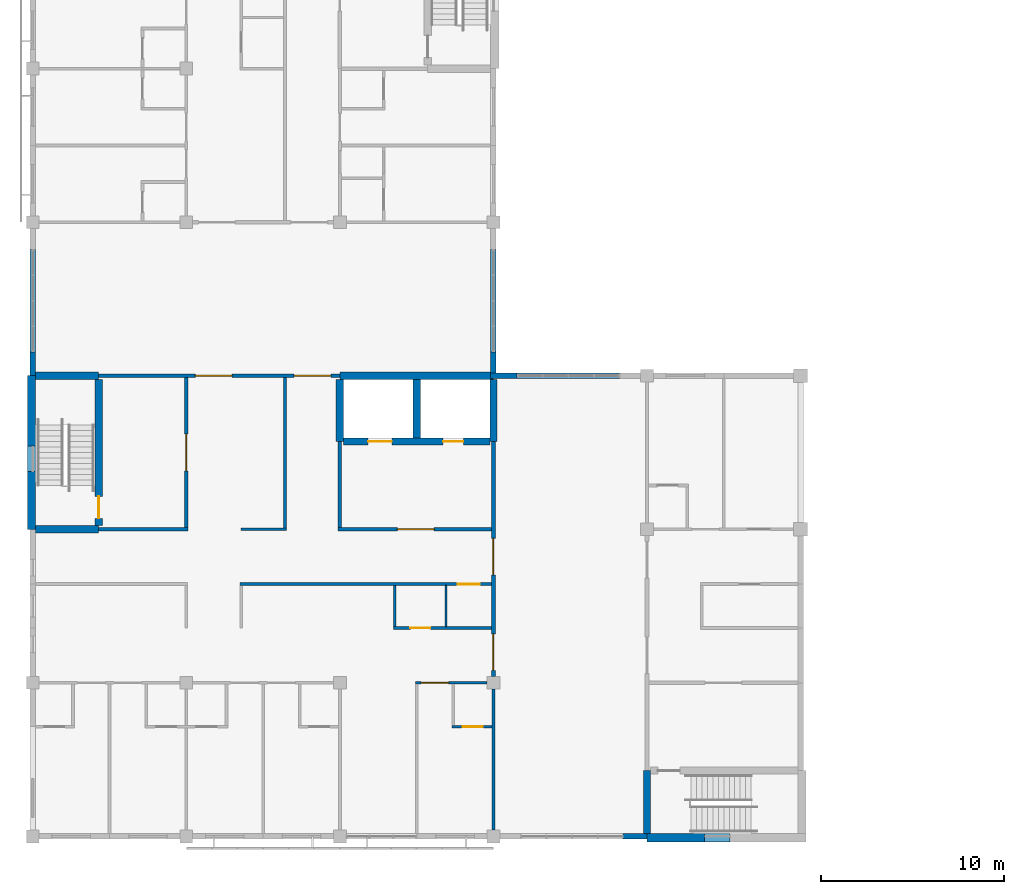
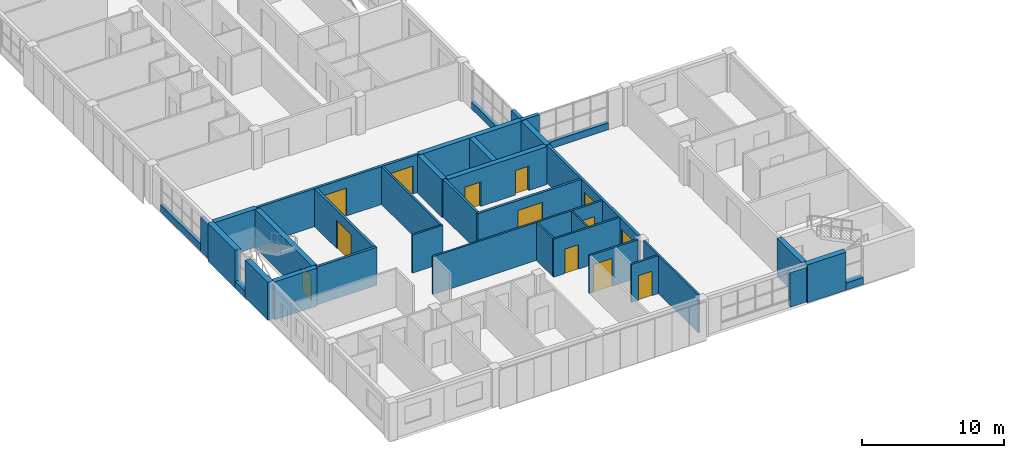
# One storey, part 25 of 46: 36 walls, 13 doors, 13 openings.
"""IFC4 building model written with IfcOpenShell, lengths in metres."""

from ifc_helpers import new_model, si_unit, direction, frame, frame_2d, origin, place, context, subcontext, project, spatial, rectangle, extrude, material, layer, layer_set, type_object, element, fill, save


model = new_model("IFC4")

# Units and contexts
model_context = context("Model", 3, precision=1e-05, world=origin(), true_north=direction((0.0, 1.0)))
body_context = subcontext(model_context, "Body", "Model", "MODEL_VIEW")
ifc_project = project(units=[si_unit("LENGTHUNIT", "METRE"), si_unit("AREAUNIT", "SQUARE_METRE"), si_unit("VOLUMEUNIT", "CUBIC_METRE"), si_unit("PLANEANGLEUNIT", "RADIAN"), si_unit("MASSUNIT", "GRAM", prefix="KILO")], contexts=[model_context])

# Site, building, storey
site_placement = place(None, origin())
site = spatial("IfcSite", under=ifc_project, at=site_placement, CompositionType="ELEMENT")
building_placement = place(site_placement, origin())
building = spatial("IfcBuilding", under=site, at=building_placement, Name="Yavir Park General Hospital", CompositionType="ELEMENT")
storey_placement = place(building_placement, frame((0.0, 0.0, 18.89990234375)))
storey = spatial("IfcBuildingStorey", under=building, at=storey_placement, Name="L04", CompositionType="ELEMENT", Elevation=18.89990234375)

# Wall
ifc_material_1 = material(Name="Double gypsum board fire partition on steel studs", Category="steel")
ifc_layer_1 = layer(ifc_material_1, 0.199951171875)
ifc_layer_set_1 = layer_set([ifc_layer_1], Name="Double gypsum board fire partition on steel studs")
wall_type_1 = type_object("IfcWallType", Name="Fire-rated partition 200, EI 60", PredefinedType="PARTITIONING", material=ifc_layer_set_1)
wall_1_placement = place(storey_placement, frame((3.60009765625, 16.800048828125, 0.0), z_axis=(0.0, 0.0, 1.0), x_axis=(1.0, 0.0, 0.0)))
element("IfcWall", 1, at=wall_1_placement, inside=storey, type_object=wall_type_1, Name="FP20 L04-037", PredefinedType="PARTITIONING", context=body_context, shape_type="SweptSolid", body=[
    extrude(rectangle(XDim=4.89990234375, YDim=0.199951171875, at=frame_2d((2.449951171875, 0.0))), origin(), (0.0, 0.0, 1.0), 3.260009765625),
])

# Wall, opening, door
wall_2_placement = place(storey_placement, frame((16.699951171875, 16.800048828125, 0.0), z_axis=(0.0, 0.0, 1.0), x_axis=(1.0, 0.0, 0.0)))
wall_2 = element("IfcWall", 2, at=wall_2_placement, inside=storey, type_object=wall_type_1, Name="FP20 L04-039", PredefinedType="PARTITIONING", context=body_context, shape_type="SweptSolid", body=[
    extrude(rectangle(XDim=8.400146484375, YDim=0.199951171875, at=frame_2d((4.2001953125, 0.0))), origin(), (0.0, 0.0, 1.0), 3.260009765625),
])
opening_1_placement = place(wall_2_placement, frame((3.25, 0.0, 0.0)))
opening_1 = element("IfcOpeningElement", 3, at=opening_1_placement, cuts=wall_2, Name="Opening L04.D038", PredefinedType="OPENING", context=body_context, shape_type="SweptSolid", body=[
    extrude(rectangle(XDim=2.0, YDim=2.39990234375, at=frame_2d((1.0, 1.199951171875))), frame((0.0, 0.10986328125, 0.0), z_axis=(0.0, -1.0, 0.0), x_axis=(1.0, 0.0, 0.0)), (0.0, 0.0, 1.0), 0.219970703125),
])
ifc_material_2 = material(Name="Steel frame, fire-resisting leaves with vision panels", Category="steel")
door_type_1 = type_object("IfcDoorType", Name="Double fire door with vision panels 2000 x 2400, EI 60", OperationType="DOUBLE_DOOR_SINGLE_SWING", PredefinedType="DOOR", material=ifc_material_2)
door_1_placement = place(opening_1_placement, origin())
door_1 = element("IfcDoor", 4, at=door_1_placement, inside=storey, type_object=door_type_1, Name="L04.D038", OperationType="SINGLE_SWING_RIGHT", OverallHeight=2.39990234375, OverallWidth=2.0, PredefinedType="DOOR", context=body_context, shape_type="SweptSolid", body=[
    extrude(rectangle(XDim=2.0, YDim=2.39990234375, at=frame_2d((1.0, 1.199951171875))), frame((0.0, 0.030029296875, 0.0), z_axis=(0.0, -1.0, 0.0), x_axis=(1.0, 0.0, 0.0)), (0.0, 0.0, 1.0), 0.06005859375),
])
fill(opening_1, door_1)

# Wall, openings, doors
wall_3_placement = place(storey_placement, frame((3.60009765625, 25.199951171875, 0.0), z_axis=(0.0, 0.0, 1.0), x_axis=(1.0, 0.0, 0.0)))
wall_3 = element("IfcWall", 5, at=wall_3_placement, inside=storey, type_object=wall_type_1, Name="FP20 L04-054", PredefinedType="PARTITIONING", context=body_context, shape_type="SweptSolid", body=[
    extrude(rectangle(XDim=13.199951171875, YDim=0.199951171875, at=frame_2d((6.60009765625, 0.0))), origin(), (0.0, 0.0, 1.0), 3.260009765625),
])
opening_2_placement = place(wall_3_placement, frame((5.300048828125, 0.0, 0.0)))
opening_2 = element("IfcOpeningElement", 6, at=opening_2_placement, cuts=wall_3, Name="Opening L04.D061", PredefinedType="OPENING", context=body_context, shape_type="SweptSolid", body=[
    extrude(rectangle(XDim=2.0, YDim=2.39990234375, at=frame_2d((1.0, 1.199951171875))), frame((0.0, 0.10986328125, 0.0), z_axis=(0.0, -1.0, 0.0), x_axis=(1.0, 0.0, 0.0)), (0.0, 0.0, 1.0), 0.219970703125),
])
opening_3_placement = place(wall_3_placement, frame((10.699951171875, 0.0, 0.0)))
opening_3 = element("IfcOpeningElement", 7, at=opening_3_placement, cuts=wall_3, Name="Opening L04.D062", PredefinedType="OPENING", context=body_context, shape_type="SweptSolid", body=[
    extrude(rectangle(XDim=2.0, YDim=2.39990234375, at=frame_2d((1.0, 1.199951171875))), frame((0.0, 0.10986328125, 0.0), z_axis=(0.0, -1.0, 0.0), x_axis=(1.0, 0.0, 0.0)), (0.0, 0.0, 1.0), 0.219970703125),
])
door_2_placement = place(opening_2_placement, origin())
door_2 = element("IfcDoor", 8, at=door_2_placement, inside=storey, type_object=door_type_1, Name="L04.D061", OperationType="SINGLE_SWING_LEFT", OverallHeight=2.39990234375, OverallWidth=2.0, PredefinedType="DOOR", context=body_context, shape_type="SweptSolid", body=[
    extrude(rectangle(XDim=2.0, YDim=2.39990234375, at=frame_2d((1.0, 1.199951171875))), frame((0.0, 0.030029296875, 0.0), z_axis=(0.0, -1.0, 0.0), x_axis=(1.0, 0.0, 0.0)), (0.0, 0.0, 1.0), 0.06005859375),
])
fill(opening_2, door_2)
door_3_placement = place(opening_3_placement, origin())
door_3 = element("IfcDoor", 9, at=door_3_placement, inside=storey, type_object=door_type_1, Name="L04.D062", OperationType="SINGLE_SWING_LEFT", OverallHeight=2.39990234375, OverallWidth=2.0, PredefinedType="DOOR", context=body_context, shape_type="SweptSolid", body=[
    extrude(rectangle(XDim=2.0, YDim=2.39990234375, at=frame_2d((1.0, 1.199951171875))), frame((0.0, 0.030029296875, 0.0), z_axis=(0.0, -1.0, 0.0), x_axis=(1.0, 0.0, 0.0)), (0.0, 0.0, 1.0), 0.06005859375),
])
fill(opening_3, door_3)

# Wall, opening, door
wall_4_placement = place(storey_placement, frame((8.39990234375, 16.89990234375, 0.0), z_axis=(0.0, 0.0, 1.0), x_axis=(0.0, 1.0, 0.0)))
wall_4 = element("IfcWall", 10, at=wall_4_placement, inside=storey, type_object=wall_type_1, Name="FP20 L04-165", PredefinedType="PARTITIONING", context=body_context, shape_type="SweptSolid", body=[
    extrude(rectangle(XDim=8.2001953125, YDim=0.199951171875, at=frame_2d((4.10009765625, 0.0))), origin(), (0.0, 0.0, 1.0), 3.260009765625),
])
opening_4_placement = place(wall_4_placement, frame((3.10009765625, 0.0, 0.0)))
opening_4 = element("IfcOpeningElement", 11, at=opening_4_placement, cuts=wall_4, Name="Opening L04.D088", PredefinedType="OPENING", context=body_context, shape_type="SweptSolid", body=[
    extrude(rectangle(XDim=2.0, YDim=2.39990234375, at=frame_2d((1.0, 1.199951171875))), frame((0.0, 0.10986328125, 0.0), z_axis=(0.0, -1.0, 0.0), x_axis=(1.0, 0.0, 0.0)), (0.0, 0.0, 1.0), 0.219970703125),
])
door_4_placement = place(opening_4_placement, origin())
door_4 = element("IfcDoor", 12, at=door_4_placement, inside=storey, type_object=door_type_1, Name="L04.D088", OperationType="SINGLE_SWING_RIGHT", OverallHeight=2.39990234375, OverallWidth=2.0, PredefinedType="DOOR", context=body_context, shape_type="SweptSolid", body=[
    extrude(rectangle(XDim=2.0, YDim=2.39990234375, at=frame_2d((1.0, 1.199951171875))), frame((0.0, 0.030029296875, 0.0), z_axis=(0.0, -1.0, 0.0), x_axis=(1.0, 0.0, 0.0)), (0.0, 0.0, 1.0), 0.06005859375),
])
fill(opening_4, door_4)

# Wall
wall_5_placement = place(storey_placement, frame((16.800048828125, 16.89990234375, 0.0), z_axis=(0.0, 0.0, 1.0), x_axis=(0.0, 1.0, 0.0)))
element("IfcWall", 13, at=wall_5_placement, inside=storey, type_object=wall_type_1, Name="FP20 L04-187", PredefinedType="PARTITIONING", context=body_context, shape_type="SweptSolid", body=[
    extrude(rectangle(XDim=4.7001953125, YDim=0.199951171875, at=frame_2d((2.35009765625, 0.0))), origin(), (0.0, 0.0, 1.0), 3.260009765625),
])

# Wall, openings, doors
wall_6_placement = place(storey_placement, frame((25.199951171875, 8.75, 0.0), z_axis=(0.0, 0.0, 1.0), x_axis=(0.0, 1.0, 0.0)))
wall_6 = element("IfcWall", 14, at=wall_6_placement, inside=storey, type_object=wall_type_1, Name="FP20 L04-217", PredefinedType="PARTITIONING", context=body_context, shape_type="SweptSolid", body=[
    extrude(rectangle(XDim=12.85009765625, YDim=0.199951171875, at=frame_2d((6.425048828125, 0.0))), origin(), (0.0, 0.0, 1.0), 3.260009765625),
])
opening_5_placement = place(wall_6_placement, frame((0.324951171875, 0.0, 0.0)))
opening_5 = element("IfcOpeningElement", 15, at=opening_5_placement, cuts=wall_6, Name="Opening L04.D140", PredefinedType="OPENING", context=body_context, shape_type="SweptSolid", body=[
    extrude(rectangle(XDim=2.0, YDim=2.39990234375, at=frame_2d((1.0, 1.199951171875))), frame((0.0, 0.10986328125, 0.0), z_axis=(0.0, -1.0, 0.0), x_axis=(1.0, 0.0, 0.0)), (0.0, 0.0, 1.0), 0.219970703125),
])
opening_6_placement = place(wall_6_placement, frame((5.550048828125, 0.0, 0.0)))
opening_6 = element("IfcOpeningElement", 16, at=opening_6_placement, cuts=wall_6, Name="Opening L04.D141", PredefinedType="OPENING", context=body_context, shape_type="SweptSolid", body=[
    extrude(rectangle(XDim=2.0, YDim=2.39990234375, at=frame_2d((1.0, 1.199951171875))), frame((0.0, 0.10986328125, 0.0), z_axis=(0.0, -1.0, 0.0), x_axis=(1.0, 0.0, 0.0)), (0.0, 0.0, 1.0), 0.219970703125),
])
door_5_placement = place(opening_5_placement, origin())
door_5 = element("IfcDoor", 17, at=door_5_placement, inside=storey, type_object=door_type_1, Name="L04.D140", OperationType="SINGLE_SWING_LEFT", OverallHeight=2.39990234375, OverallWidth=2.0, PredefinedType="DOOR", context=body_context, shape_type="SweptSolid", body=[
    extrude(rectangle(XDim=2.0, YDim=2.39990234375, at=frame_2d((1.0, 1.199951171875))), frame((0.0, 0.030029296875, 0.0), z_axis=(0.0, -1.0, 0.0), x_axis=(1.0, 0.0, 0.0)), (0.0, 0.0, 1.0), 0.06005859375),
])
fill(opening_5, door_5)
door_6_placement = place(opening_6_placement, origin())
door_6 = element("IfcDoor", 18, at=door_6_placement, inside=storey, type_object=door_type_1, Name="L04.D141", OperationType="SINGLE_SWING_RIGHT", OverallHeight=2.39990234375, OverallWidth=2.0, PredefinedType="DOOR", context=body_context, shape_type="SweptSolid", body=[
    extrude(rectangle(XDim=2.0, YDim=2.39990234375, at=frame_2d((1.0, 1.199951171875))), frame((0.0, 0.030029296875, 0.0), z_axis=(0.0, -1.0, 0.0), x_axis=(1.0, 0.0, 0.0)), (0.0, 0.0, 1.0), 0.06005859375),
])
fill(opening_6, door_6)

# Wall
ifc_material_3 = material(Name="Gypsum board partition on steel studs", Category="steel")
ifc_layer_2 = layer(ifc_material_3, 0.10009765625)
ifc_layer_set_2 = layer_set([ifc_layer_2], Name="Gypsum board partition on steel studs")
wall_type_2 = type_object("IfcWallType", Name="Gypsum board partition 100", PredefinedType="PARTITIONING", material=ifc_layer_set_2)
wall_7_placement = place(storey_placement, frame((22.60009765625, 11.47509765625, 0.0), z_axis=(0.0, 0.0, 1.0), x_axis=(0.0, 1.0, 0.0)))
element("IfcWall", 19, at=wall_7_placement, inside=storey, type_object=wall_type_2, Name="P10 L04-214", PredefinedType="PARTITIONING", context=body_context, shape_type="SweptSolid", body=[
    extrude(rectangle(XDim=2.25, YDim=0.10009765625, at=frame_2d((1.125, 0.0))), origin(), (0.0, 0.0, 1.0), 3.260009765625),
])

# Wall, opening, door
ifc_material_4 = material(Name="Gypsum board partition on steel studs", Category="steel")
ifc_layer_3 = layer(ifc_material_4, 0.14990234375)
ifc_layer_set_3 = layer_set([ifc_layer_3], Name="Gypsum board partition on steel studs")
wall_type_3 = type_object("IfcWallType", Name="Gypsum board partition 150", PredefinedType="PARTITIONING", material=ifc_layer_set_3)
wall_8_placement = place(storey_placement, frame((22.925048828125, 6.0, 0.0), z_axis=(0.0, 0.0, 1.0), x_axis=(1.0, 0.0, 0.0)))
wall_8 = element("IfcWall", 20, at=wall_8_placement, inside=storey, type_object=wall_type_3, Name="P15 L04-007", PredefinedType="PARTITIONING", context=body_context, shape_type="SweptSolid", body=[
    extrude(rectangle(XDim=2.199951171875, YDim=0.14990234375, at=frame_2d((1.10009765625, 0.0))), origin(), (0.0, 0.0, 1.0), 3.260009765625),
])
opening_7_placement = place(wall_8_placement, frame((0.58740234375, 0.0, 0.0)))
opening_7 = element("IfcOpeningElement", 21, at=opening_7_placement, cuts=wall_8, Name="Opening L04.D008", PredefinedType="OPENING", context=body_context, shape_type="SweptSolid", body=[
    extrude(rectangle(XDim=1.10009765625, YDim=2.10009765625, at=frame_2d((0.550048828125, 1.050048828125))), frame((0.0, 0.0849609375, 0.0), z_axis=(0.0, -1.0, 0.0), x_axis=(1.0, 0.0, 0.0)), (0.0, 0.0, 1.0), 0.169921875),
])
ifc_material_5 = material(Name="Hollow metal frame, solid-core timber leaf", Category="wood")
door_type_2 = type_object("IfcDoorType", Name="Single swing door 1100 x 2100", OperationType="SINGLE_SWING_LEFT", PredefinedType="DOOR", material=ifc_material_5)
door_7_placement = place(opening_7_placement, origin())
door_7 = element("IfcDoor", 22, at=door_7_placement, inside=storey, type_object=door_type_2, Name="L04.D008", OperationType="SINGLE_SWING_RIGHT", OverallHeight=2.10009765625, OverallWidth=1.10009765625, PredefinedType="DOOR", context=body_context, shape_type="SweptSolid", body=[
    extrude(rectangle(XDim=1.10009765625, YDim=2.10009765625, at=frame_2d((0.550048828125, 1.050048828125))), frame((0.0, 0.02490234375, 0.0), z_axis=(0.0, -1.0, 0.0), x_axis=(1.0, 0.0, 0.0)), (0.0, 0.0, 1.0), 0.050048828125),
])
fill(opening_7, door_7)

wall_9_placement = place(storey_placement, frame((20.925048828125, 8.39990234375, 0.0), z_axis=(0.0, 0.0, 1.0), x_axis=(1.0, 0.0, 0.0)))
wall_9 = element("IfcWall", 23, at=wall_9_placement, inside=storey, type_object=wall_type_3, Name="P15 L04-016", PredefinedType="PARTITIONING", context=body_context, shape_type="SweptSolid", body=[
    extrude(rectangle(XDim=3.925048828125, YDim=0.14990234375, at=frame_2d((1.96240234375, 0.0))), origin(), (0.0, 0.0, 1.0), 3.260009765625),
])
opening_8_placement = place(wall_9_placement, frame((0.324951171875, 0.0, 0.0)))
opening_8 = element("IfcOpeningElement", 24, at=opening_8_placement, cuts=wall_9, Name="Opening L04.D021", PredefinedType="OPENING", context=body_context, shape_type="SweptSolid", body=[
    extrude(rectangle(XDim=1.5, YDim=2.39990234375, at=frame_2d((0.75, 1.199951171875))), frame((0.0, 0.0849609375, 0.0), z_axis=(0.0, -1.0, 0.0), x_axis=(1.0, 0.0, 0.0)), (0.0, 0.0, 1.0), 0.169921875),
])
ifc_material_6 = material(Name="Solid-core timber leaves, push plates, kick plates", Category="wood")
door_type_3 = type_object("IfcDoorType", Name="Bed door, unequal leaves 1500 x 2400", OperationType="DOUBLE_DOOR_SINGLE_SWING", PredefinedType="DOOR", material=ifc_material_6)
door_8_placement = place(opening_8_placement, origin())
door_8 = element("IfcDoor", 25, at=door_8_placement, inside=storey, type_object=door_type_3, Name="L04.D021", OperationType="SINGLE_SWING_LEFT", OverallHeight=2.39990234375, OverallWidth=1.5, PredefinedType="DOOR", context=body_context, shape_type="SweptSolid", body=[
    extrude(rectangle(XDim=1.5, YDim=2.39990234375, at=frame_2d((0.75, 1.199951171875))), frame((0.0, 0.030029296875, 0.0), z_axis=(0.0, -1.0, 0.0), x_axis=(1.0, 0.0, 0.0)), (0.0, 0.0, 1.0), 0.06005859375),
])
fill(opening_8, door_8)

wall_10_placement = place(storey_placement, frame((19.72509765625, 11.39990234375, 0.0), z_axis=(0.0, 0.0, 1.0), x_axis=(1.0, 0.0, 0.0)))
wall_10 = element("IfcWall", 26, at=wall_10_placement, inside=storey, type_object=wall_type_3, Name="P15 L04-024", PredefinedType="PARTITIONING", context=body_context, shape_type="SweptSolid", body=[
    extrude(rectangle(XDim=5.375, YDim=0.14990234375, at=frame_2d((2.6875, 0.0))), origin(), (0.0, 0.0, 1.0), 3.260009765625),
])
opening_9_placement = place(wall_10_placement, frame((0.925048828125, 0.0, 0.0)))
opening_9 = element("IfcOpeningElement", 27, at=opening_9_placement, cuts=wall_10, Name="Opening L04.D032", PredefinedType="OPENING", context=body_context, shape_type="SweptSolid", body=[
    extrude(rectangle(XDim=1.10009765625, YDim=2.10009765625, at=frame_2d((0.550048828125, 1.050048828125))), frame((0.0, 0.0849609375, 0.0), z_axis=(0.0, -1.0, 0.0), x_axis=(1.0, 0.0, 0.0)), (0.0, 0.0, 1.0), 0.169921875),
])
door_9_placement = place(opening_9_placement, origin())
door_9 = element("IfcDoor", 28, at=door_9_placement, inside=storey, type_object=door_type_2, Name="L04.D032", OperationType="SINGLE_SWING_RIGHT", OverallHeight=2.10009765625, OverallWidth=1.10009765625, PredefinedType="DOOR", context=body_context, shape_type="SweptSolid", body=[
    extrude(rectangle(XDim=1.10009765625, YDim=2.10009765625, at=frame_2d((0.550048828125, 1.050048828125))), frame((0.0, 0.02490234375, 0.0), z_axis=(0.0, -1.0, 0.0), x_axis=(1.0, 0.0, 0.0)), (0.0, 0.0, 1.0), 0.050048828125),
])
fill(opening_9, door_9)

wall_11_placement = place(storey_placement, frame((11.324951171875, 13.800048828125, 0.0), z_axis=(0.0, 0.0, 1.0), x_axis=(1.0, 0.0, 0.0)))
wall_11 = element("IfcWall", 29, at=wall_11_placement, inside=storey, type_object=wall_type_3, Name="P15 L04-029", PredefinedType="PARTITIONING", context=body_context, shape_type="SweptSolid", body=[
    extrude(rectangle(XDim=13.775146484375, YDim=0.14990234375, at=frame_2d((6.8876953125, 0.0))), origin(), (0.0, 0.0, 1.0), 3.260009765625),
])
opening_10_placement = place(wall_11_placement, frame((11.925048828125, 0.0, 0.0)))
opening_10 = element("IfcOpeningElement", 30, at=opening_10_placement, cuts=wall_11, Name="Opening L04.D034", PredefinedType="OPENING", context=body_context, shape_type="SweptSolid", body=[
    extrude(rectangle(XDim=1.199951171875, YDim=2.10009765625, at=frame_2d((0.60009765625, 1.050048828125))), frame((0.0, 0.0849609375, 0.0), z_axis=(0.0, -1.0, 0.0), x_axis=(1.0, 0.0, 0.0)), (0.0, 0.0, 1.0), 0.169921875),
])
ifc_material_7 = material(Name="Hollow metal frame, solid-core timber leaf", Category="wood")
door_type_4 = type_object("IfcDoorType", Name="Single swing door 1200 x 2100", OperationType="SINGLE_SWING_LEFT", PredefinedType="DOOR", material=ifc_material_7)
door_10_placement = place(opening_10_placement, origin())
door_10 = element("IfcDoor", 31, at=door_10_placement, inside=storey, type_object=door_type_4, Name="L04.D034", OperationType="SINGLE_SWING_LEFT", OverallHeight=2.10009765625, OverallWidth=1.199951171875, PredefinedType="DOOR", context=body_context, shape_type="SweptSolid", body=[
    extrude(rectangle(XDim=1.199951171875, YDim=2.10009765625, at=frame_2d((0.60009765625, 1.050048828125))), frame((0.0, 0.02490234375, 0.0), z_axis=(0.0, -1.0, 0.0), x_axis=(1.0, 0.0, 0.0)), (0.0, 0.0, 1.0), 0.050048828125),
])
fill(opening_10, door_10)

# Walls
wall_12_placement = place(storey_placement, frame((11.39990234375, 16.800048828125, 0.0), z_axis=(0.0, 0.0, 1.0), x_axis=(1.0, 0.0, 0.0)))
element("IfcWall", 32, at=wall_12_placement, inside=storey, type_object=wall_type_3, Name="P15 L04-038", PredefinedType="PARTITIONING", context=body_context, shape_type="SweptSolid", body=[
    extrude(rectangle(XDim=2.47509765625, YDim=0.14990234375, at=frame_2d((1.237548828125, 0.0))), origin(), (0.0, 0.0, 1.0), 3.260009765625),
])
wall_13_placement = place(storey_placement, frame((13.800048828125, 16.875, 0.0), z_axis=(0.0, 0.0, 1.0), x_axis=(0.0, 1.0, 0.0)))
element("IfcWall", 33, at=wall_13_placement, inside=storey, type_object=wall_type_3, Name="P15 L04-181", PredefinedType="PARTITIONING", context=body_context, shape_type="SweptSolid", body=[
    extrude(rectangle(XDim=8.22509765625, YDim=0.14990234375, at=frame_2d((4.112548828125, 0.0))), origin(), (0.0, 0.0, 1.0), 3.260009765625),
])
wall_14_placement = place(storey_placement, frame((19.800048828125, 11.47509765625, 0.0), z_axis=(0.0, 0.0, 1.0), x_axis=(0.0, 1.0, 0.0)))
element("IfcWall", 34, at=wall_14_placement, inside=storey, type_object=wall_type_3, Name="P15 L04-208", PredefinedType="PARTITIONING", context=body_context, shape_type="SweptSolid", body=[
    extrude(rectangle(XDim=2.25, YDim=0.14990234375, at=frame_2d((1.125, 0.0))), origin(), (0.0, 0.0, 1.0), 3.260009765625),
])
wall_15_placement = place(storey_placement, frame((25.199951171875, 0.35009765625, 0.0), z_axis=(0.0, 0.0, 1.0), x_axis=(0.0, 1.0, 0.0)))
element("IfcWall", 35, at=wall_15_placement, inside=storey, type_object=wall_type_3, Name="P15 L04-216", PredefinedType="PARTITIONING", context=body_context, shape_type="SweptSolid", body=[
    extrude(rectangle(XDim=7.699951171875, YDim=0.14990234375, at=frame_2d((3.85009765625, 0.0))), origin(), (0.0, 0.0, 1.0), 3.260009765625),
])
ifc_material_8 = material(Name="Autoclaved aerated block, mineral wool and ochre mineral render")
ifc_layer_4 = layer(ifc_material_8, 0.300048828125)
ifc_layer_set_4 = layer_set([ifc_layer_4], Name="Autoclaved aerated block, mineral wool and ochre mineral render")
wall_type_4 = type_object("IfcWallType", Name="Ochre render ward wall 300, E 30", PredefinedType="SOLIDWALL", material=ifc_layer_set_4)
wall_16_placement = place(storey_placement, frame((32.300048828125, 0.0, 0.0), z_axis=(0.0, 0.0, 1.0), x_axis=(1.0, 0.0, 0.0)))
element("IfcWall", 36, at=wall_16_placement, inside=storey, type_object=wall_type_4, Name="XW7 L04-008", PredefinedType="SOLIDWALL", context=body_context, shape_type="SweptSolid", body=[
    extrude(rectangle(XDim=1.300048828125, YDim=0.300048828125, at=frame_2d((0.64990234375, 0.0))), origin(), (0.0, 0.0, 1.0), 2.960205078125),
])
wall_17_placement = place(storey_placement, frame((25.050048828125, 25.199951171875, 0.0), z_axis=(0.0, 0.0, 1.0), x_axis=(1.0, 0.0, 0.0)))
element("IfcWall", 37, at=wall_17_placement, inside=storey, type_object=wall_type_4, Name="XW7 L04-033", PredefinedType="SOLIDWALL", context=body_context, shape_type="SweptSolid", body=[
    extrude(rectangle(XDim=1.449951171875, YDim=0.300048828125, at=frame_2d((0.72509765625, 0.0))), origin(), (0.0, 0.0, 1.0), 3.260009765625),
])
wall_18_placement = place(storey_placement, frame((26.5, 25.199951171875, 0.0), z_axis=(0.0, 0.0, 1.0), x_axis=(1.0, 0.0, 0.0)))
element("IfcWall", 38, at=wall_18_placement, inside=storey, type_object=wall_type_4, Name="XW7 L04-035", PredefinedType="SOLIDWALL", context=body_context, shape_type="SweptSolid", body=[
    extrude(rectangle(XDim=5.60009765625, YDim=0.300048828125, at=frame_2d((2.800048828125, 0.0))), origin(), (0.0, 0.0, 1.0), 0.60009765625),
])
wall_19_placement = place(storey_placement, frame((0.0, 25.199951171875, 0.0), z_axis=(0.0, 0.0, 1.0), x_axis=(0.0, 1.0, 0.0)))
element("IfcWall", 39, at=wall_19_placement, inside=storey, type_object=wall_type_4, Name="XW7 L04-078", PredefinedType="SOLIDWALL", context=body_context, shape_type="SweptSolid", body=[
    extrude(rectangle(XDim=1.300048828125, YDim=0.300048828125, at=frame_2d((0.64990234375, 0.0))), origin(), (0.0, 0.0, 1.0), 2.960205078125),
])
wall_20_placement = place(storey_placement, frame((0.0, 26.5, 0.0), z_axis=(0.0, 0.0, 1.0), x_axis=(0.0, 1.0, 0.0)))
element("IfcWall", 40, at=wall_20_placement, inside=storey, type_object=wall_type_4, Name="XW7 L04-080", PredefinedType="SOLIDWALL", context=body_context, shape_type="SweptSolid", body=[
    extrude(rectangle(XDim=5.60009765625, YDim=0.300048828125, at=frame_2d((2.800048828125, 0.0))), origin(), (0.0, 0.0, 1.0), 0.60009765625),
])
wall_21_placement = place(storey_placement, frame((25.199951171875, 25.35009765625, 0.0), z_axis=(0.0, 0.0, 1.0), x_axis=(0.0, 1.0, 0.0)))
element("IfcWall", 41, at=wall_21_placement, inside=storey, type_object=wall_type_4, Name="XW7 L04-102", PredefinedType="SOLIDWALL", context=body_context, shape_type="SweptSolid", body=[
    extrude(rectangle(XDim=1.14990234375, YDim=0.300048828125, at=frame_2d((0.574951171875, 0.0))), origin(), (0.0, 0.0, 1.0), 3.260009765625),
])
wall_22_placement = place(storey_placement, frame((25.199951171875, 26.5, 0.0), z_axis=(0.0, 0.0, 1.0), x_axis=(0.0, 1.0, 0.0)))
element("IfcWall", 42, at=wall_22_placement, inside=storey, type_object=wall_type_4, Name="XW7 L04-104", PredefinedType="SOLIDWALL", context=body_context, shape_type="SweptSolid", body=[
    extrude(rectangle(XDim=5.60009765625, YDim=0.300048828125, at=frame_2d((2.800048828125, 0.0))), origin(), (0.0, 0.0, 1.0), 0.60009765625),
])
ifc_material_9 = material(Name="Concrete C35/45", Category="concrete")
ifc_layer_5 = layer(ifc_material_9, 0.39990234375)
ifc_layer_set_5 = layer_set([ifc_layer_5], Name="Concrete C35/45")
wall_type_5 = type_object("IfcWallType", Name="Reinforced concrete core wall 400, REI 150", PredefinedType="SHEAR", material=ifc_layer_set_5)
wall_23_placement = place(storey_placement, frame((0.14990234375, 16.800048828125, 0.0), z_axis=(0.0, 0.0, 1.0), x_axis=(1.0, 0.0, 0.0)))
element("IfcWall", 43, at=wall_23_placement, inside=storey, type_object=wall_type_5, Name="CW40 L04-036", PredefinedType="SHEAR", context=body_context, shape_type="SweptSolid", body=[
    extrude(rectangle(XDim=3.4501953125, YDim=0.39990234375, at=frame_2d((1.72509765625, 0.0))), origin(), (0.0, 0.0, 1.0), 3.260009765625),
])

# Wall, openings, doors
wall_24_placement = place(storey_placement, frame((17.0, 21.60009765625, 0.0), z_axis=(0.0, 0.0, 1.0), x_axis=(1.0, 0.0, 0.0)))
wall_24 = element("IfcWall", 44, at=wall_24_placement, inside=storey, type_object=wall_type_5, Name="CW40 L04-051", PredefinedType="SHEAR", context=body_context, shape_type="SweptSolid", body=[
    extrude(rectangle(XDim=8.0, YDim=0.39990234375, at=frame_2d((4.0, 0.0))), origin(), (0.0, 0.0, 1.0), 3.260009765625),
])
opening_11_placement = place(wall_24_placement, frame((1.35009765625, 0.0, 0.0)))
opening_11 = element("IfcOpeningElement", 45, at=opening_11_placement, cuts=wall_24, Name="Opening L04.D053", PredefinedType="OPENING", context=body_context, shape_type="SweptSolid", body=[
    extrude(rectangle(XDim=1.300048828125, YDim=2.10009765625, at=frame_2d((0.64990234375, 1.050048828125))), frame((0.0, 0.2099609375, 0.0), z_axis=(0.0, -1.0, 0.0), x_axis=(1.0, 0.0, 0.0)), (0.0, 0.0, 1.0), 0.419921875),
])
opening_12_placement = place(wall_24_placement, frame((5.449951171875, 0.0, 0.0)))
opening_12 = element("IfcOpeningElement", 46, at=opening_12_placement, cuts=wall_24, Name="Opening L04.D054", PredefinedType="OPENING", context=body_context, shape_type="SweptSolid", body=[
    extrude(rectangle(XDim=1.10009765625, YDim=2.10009765625, at=frame_2d((0.550048828125, 1.050048828125))), frame((0.0, 0.2099609375, 0.0), z_axis=(0.0, -1.0, 0.0), x_axis=(1.0, 0.0, 0.0)), (0.0, 0.0, 1.0), 0.419921875),
])
ifc_material_10 = material(Name="Stainless steel landing door panels", Category="steel")
door_type_5 = type_object("IfcDoorType", Name="Lift landing door 1100 x 2100, EI 60", OperationType="SLIDING_TO_LEFT", PredefinedType="DOOR", material=ifc_material_10)
door_11_placement = place(opening_12_placement, origin())
door_11 = element("IfcDoor", 47, at=door_11_placement, inside=storey, type_object=door_type_5, Name="L04.D054", OperationType="SLIDING_TO_LEFT", OverallHeight=2.10009765625, OverallWidth=1.10009765625, PredefinedType="DOOR", context=body_context, shape_type="SweptSolid", body=[
    extrude(rectangle(XDim=1.10009765625, YDim=2.10009765625, at=frame_2d((0.550048828125, 1.050048828125))), frame((0.0, 0.02490234375, 0.0), z_axis=(0.0, -1.0, 0.0), x_axis=(1.0, 0.0, 0.0)), (0.0, 0.0, 1.0), 0.050048828125),
])
fill(opening_12, door_11)
ifc_material_11 = material(Name="Stainless steel landing door panels", Category="steel")
door_type_6 = type_object("IfcDoorType", Name="Lift landing door 1300 x 2100, EI 60", OperationType="SLIDING_TO_LEFT", PredefinedType="DOOR", material=ifc_material_11)
door_12_placement = place(opening_11_placement, origin())
door_12 = element("IfcDoor", 48, at=door_12_placement, inside=storey, type_object=door_type_6, Name="L04.D053", OperationType="SLIDING_TO_LEFT", OverallHeight=2.10009765625, OverallWidth=1.300048828125, PredefinedType="DOOR", context=body_context, shape_type="SweptSolid", body=[
    extrude(rectangle(XDim=1.300048828125, YDim=2.10009765625, at=frame_2d((0.64990234375, 1.050048828125))), frame((0.0, 0.02490234375, 0.0), z_axis=(0.0, -1.0, 0.0), x_axis=(1.0, 0.0, 0.0)), (0.0, 0.0, 1.0), 0.050048828125),
])
fill(opening_11, door_12)

# Walls
wall_25_placement = place(storey_placement, frame((0.14990234375, 25.199951171875, 0.0), z_axis=(0.0, 0.0, 1.0), x_axis=(1.0, 0.0, 0.0)))
element("IfcWall", 49, at=wall_25_placement, inside=storey, type_object=wall_type_5, Name="CW40 L04-053", PredefinedType="SHEAR", context=body_context, shape_type="SweptSolid", body=[
    extrude(rectangle(XDim=3.4501953125, YDim=0.39990234375, at=frame_2d((1.72509765625, 0.0))), origin(), (0.0, 0.0, 1.0), 3.260009765625),
])
wall_26_placement = place(storey_placement, frame((16.800048828125, 25.199951171875, 0.0), z_axis=(0.0, 0.0, 1.0), x_axis=(1.0, 0.0, 0.0)))
element("IfcWall", 50, at=wall_26_placement, inside=storey, type_object=wall_type_5, Name="CW40 L04-055", PredefinedType="SHEAR", context=body_context, shape_type="SweptSolid", body=[
    extrude(rectangle(XDim=8.39990234375, YDim=0.39990234375, at=frame_2d((4.199951171875, 0.0))), origin(), (0.0, 0.0, 1.0), 3.260009765625),
])

# Wall, opening, door
wall_27_placement = place(storey_placement, frame((3.60009765625, 17.0, 0.0), z_axis=(0.0, 0.0, 1.0), x_axis=(0.0, 1.0, 0.0)))
wall_27 = element("IfcWall", 51, at=wall_27_placement, inside=storey, type_object=wall_type_5, Name="CW40 L04-144", PredefinedType="SHEAR", context=body_context, shape_type="SweptSolid", body=[
    extrude(rectangle(XDim=8.0, YDim=0.39990234375, at=frame_2d((4.0, 0.0))), origin(), (0.0, 0.0, 1.0), 3.260009765625),
])
opening_13_placement = place(wall_27_placement, frame((0.39990234375, 0.0, 0.0)))
opening_13 = element("IfcOpeningElement", 52, at=opening_13_placement, cuts=wall_27, Name="Opening L04.D073", PredefinedType="OPENING", context=body_context, shape_type="SweptSolid", body=[
    extrude(rectangle(XDim=1.199951171875, YDim=2.10009765625, at=frame_2d((0.60009765625, 1.050048828125))), frame((0.0, 0.2099609375, 0.0), z_axis=(0.0, -1.0, 0.0), x_axis=(1.0, 0.0, 0.0)), (0.0, 0.0, 1.0), 0.419921875),
])
ifc_material_12 = material(Name="Steel frame, fire-resisting timber leaf", Category="steel")
door_type_7 = type_object("IfcDoorType", Name="Fire door 1200 x 2100, EI 60", OperationType="SINGLE_SWING_LEFT", PredefinedType="DOOR", material=ifc_material_12)
door_13_placement = place(opening_13_placement, origin())
door_13 = element("IfcDoor", 53, at=door_13_placement, inside=storey, type_object=door_type_7, Name="L04.D073", OperationType="SINGLE_SWING_RIGHT", OverallHeight=2.10009765625, OverallWidth=1.199951171875, PredefinedType="DOOR", context=body_context, shape_type="SweptSolid", body=[
    extrude(rectangle(XDim=1.199951171875, YDim=2.10009765625, at=frame_2d((0.60009765625, 1.050048828125))), frame((0.0, 0.02490234375, 0.0), z_axis=(0.0, -1.0, 0.0), x_axis=(1.0, 0.0, 0.0)), (0.0, 0.0, 1.0), 0.050048828125),
])
fill(opening_13, door_13)

# Walls
wall_28_placement = place(storey_placement, frame((16.800048828125, 21.60009765625, 0.0), z_axis=(0.0, 0.0, 1.0), x_axis=(0.0, 1.0, 0.0)))
element("IfcWall", 54, at=wall_28_placement, inside=storey, type_object=wall_type_5, Name="CW40 L04-188", PredefinedType="SHEAR", context=body_context, shape_type="SweptSolid", body=[
    extrude(rectangle(XDim=3.39990234375, YDim=0.39990234375, at=frame_2d((1.699951171875, 0.0))), origin(), (0.0, 0.0, 1.0), 3.260009765625),
])
wall_29_placement = place(storey_placement, frame((21.0, 21.800048828125, 0.0), z_axis=(0.0, 0.0, 1.0), x_axis=(0.0, 1.0, 0.0)))
element("IfcWall", 55, at=wall_29_placement, inside=storey, type_object=wall_type_5, Name="CW40 L04-210", PredefinedType="SHEAR", context=body_context, shape_type="SweptSolid", body=[
    extrude(rectangle(XDim=3.199951171875, YDim=0.39990234375, at=frame_2d((1.60009765625, 0.0))), origin(), (0.0, 0.0, 1.0), 3.260009765625),
])
wall_30_placement = place(storey_placement, frame((25.199951171875, 21.60009765625, 0.0), z_axis=(0.0, 0.0, 1.0), x_axis=(0.0, 1.0, 0.0)))
element("IfcWall", 56, at=wall_30_placement, inside=storey, type_object=wall_type_5, Name="CW40 L04-218", PredefinedType="SHEAR", context=body_context, shape_type="SweptSolid", body=[
    extrude(rectangle(XDim=3.39990234375, YDim=0.39990234375, at=frame_2d((1.699951171875, 0.0))), origin(), (0.0, 0.0, 1.0), 3.260009765625),
])
wall_31_placement = place(storey_placement, frame((33.60009765625, 0.14990234375, 0.0), z_axis=(0.0, 0.0, 1.0), x_axis=(0.0, 1.0, 0.0)))
element("IfcWall", 57, at=wall_31_placement, inside=storey, type_object=wall_type_5, Name="CW40 L04-219", PredefinedType="SHEAR", context=body_context, shape_type="SweptSolid", body=[
    extrude(rectangle(XDim=3.4501953125, YDim=0.39990234375, at=frame_2d((1.72509765625, 0.0))), origin(), (0.0, 0.0, 1.0), 3.260009765625),
])
ifc_material_13 = material(Name="Concrete C30/37 precast panel with 150 mm mineral wool insulation", Category="concrete")
ifc_layer_6 = layer(ifc_material_13, 0.449951171875)
ifc_layer_set_6 = layer_set([ifc_layer_6], Name="Concrete C30/37 precast panel with 150 mm mineral wool insulation")
wall_type_6 = type_object("IfcWallType", Name="Stair enclosure wall 450, REI 150", PredefinedType="SOLIDWALL", material=ifc_layer_set_6)
wall_32_placement = place(storey_placement, frame((33.60009765625, -0.074951171875, 0.0), z_axis=(0.0, 0.0, 1.0), x_axis=(1.0, 0.0, 0.0)))
element("IfcWall", 58, at=wall_32_placement, inside=storey, type_object=wall_type_6, Name="XW6 L04-010", PredefinedType="SOLIDWALL", context=body_context, shape_type="SweptSolid", body=[
    extrude(rectangle(XDim=3.14990234375, YDim=0.449951171875, at=frame_2d((1.574951171875, 0.0))), origin(), (0.0, 0.0, 1.0), 3.260009765625),
])
wall_33_placement = place(storey_placement, frame((36.75, -0.074951171875, 0.0), z_axis=(0.0, 0.0, 1.0), x_axis=(1.0, 0.0, 0.0)))
element("IfcWall", 59, at=wall_33_placement, inside=storey, type_object=wall_type_6, Name="XW6 L04-012", PredefinedType="SOLIDWALL", context=body_context, shape_type="SweptSolid", body=[
    extrude(rectangle(XDim=1.39990234375, YDim=0.449951171875, at=frame_2d((0.699951171875, 0.0))), origin(), (0.0, 0.0, 1.0), 0.60009765625),
])
wall_34_placement = place(storey_placement, frame((-0.074951171875, 16.800048828125, 0.0), z_axis=(0.0, 0.0, 1.0), x_axis=(0.0, 1.0, 0.0)))
element("IfcWall", 60, at=wall_34_placement, inside=storey, type_object=wall_type_6, Name="XW6 L04-075", PredefinedType="SOLIDWALL", context=body_context, shape_type="SweptSolid", body=[
    extrude(rectangle(XDim=3.14990234375, YDim=0.449951171875, at=frame_2d((1.574951171875, 0.0))), origin(), (0.0, 0.0, 1.0), 3.260009765625),
])
wall_35_placement = place(storey_placement, frame((-0.074951171875, 21.35009765625, 0.0), z_axis=(0.0, 0.0, 1.0), x_axis=(0.0, 1.0, 0.0)))
element("IfcWall", 61, at=wall_35_placement, inside=storey, type_object=wall_type_6, Name="XW6 L04-076", PredefinedType="SOLIDWALL", context=body_context, shape_type="SweptSolid", body=[
    extrude(rectangle(XDim=3.849853515625, YDim=0.449951171875, at=frame_2d((1.9248046875, 0.0))), origin(), (0.0, 0.0, 1.0), 3.260009765625),
])
wall_36_placement = place(storey_placement, frame((-0.074951171875, 19.949951171875, 0.0), z_axis=(0.0, 0.0, 1.0), x_axis=(0.0, 1.0, 0.0)))
element("IfcWall", 62, at=wall_36_placement, inside=storey, type_object=wall_type_6, Name="XW6 L04-077", PredefinedType="SOLIDWALL", context=body_context, shape_type="SweptSolid", body=[
    extrude(rectangle(XDim=1.400146484375, YDim=0.449951171875, at=frame_2d((0.7001953125, 0.0))), origin(), (0.0, 0.0, 1.0), 0.60009765625),
])

save(model, "model.ifc")
